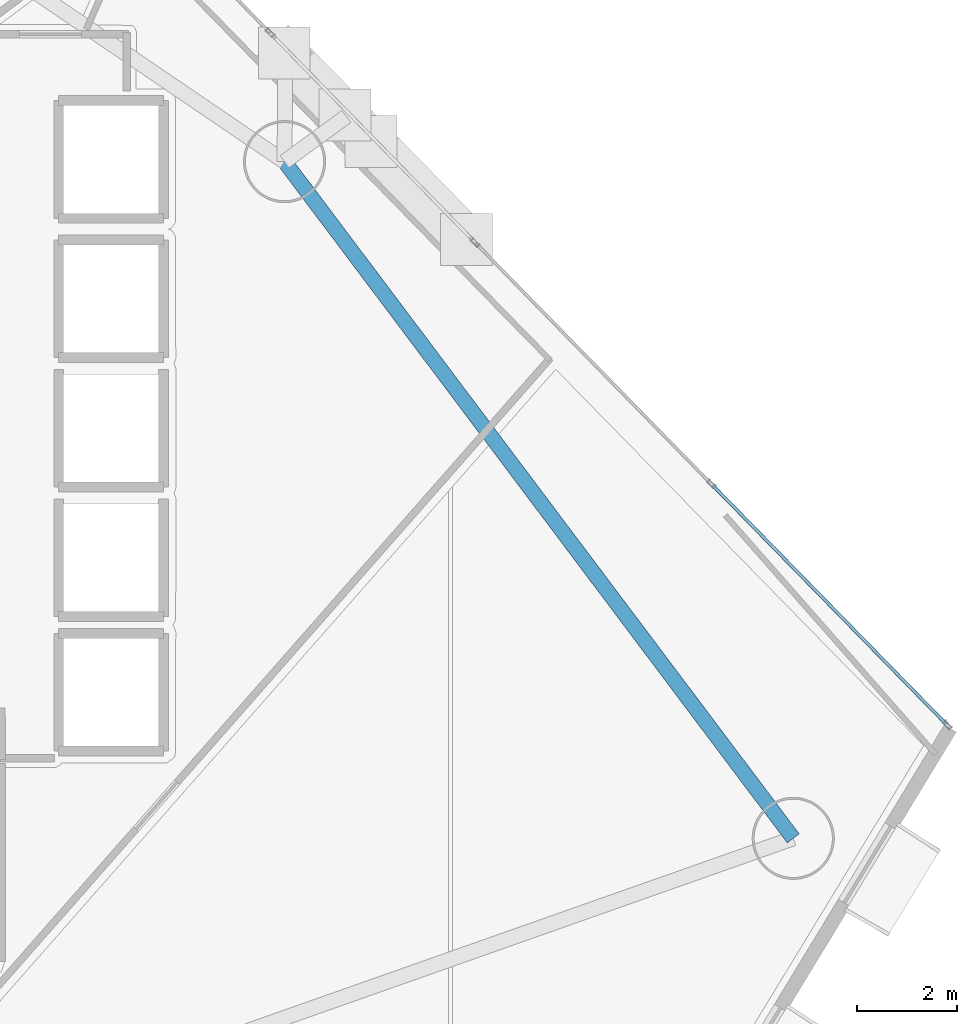
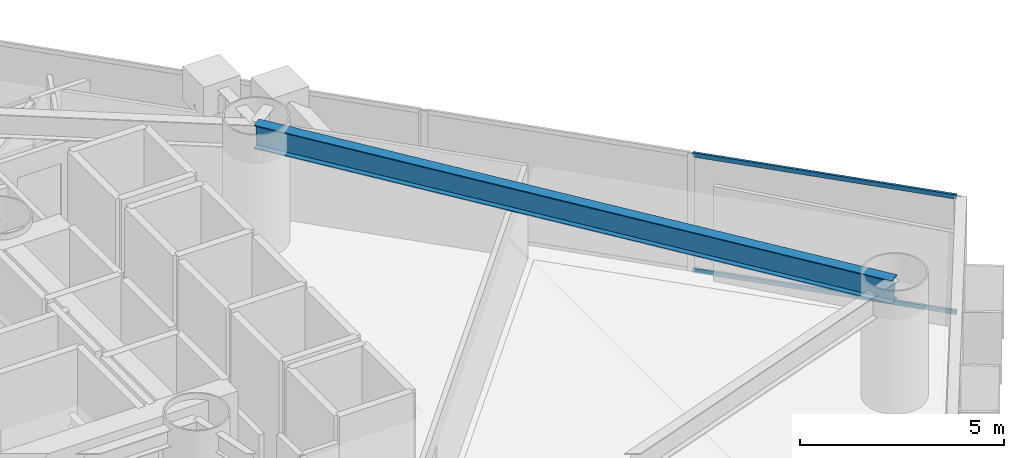
# One storey, part 12 of 23: 2 members, 1 beam, 1 element without a shape of its own.
"""IFC4 building model written with IfcOpenShell, lengths in metres."""

import ifcopenshell
import ifcopenshell.guid

model = None  # the IFC model being written
_history = None  # IfcOwnerHistory: only IFC2X3 demands one
_inside = {}  # id of a spatial element -> (the spatial element, [elements in it])
_under = {}  # id of a project, library or spatial element -> (it, [spatial elements below it])
_declared = {}  # id of a project -> (the project, [libraries it declares])
_typed = {}  # id of a type object -> (the type object, [elements of that type])
_made_of = {}  # id of a material, layer set ... -> (it, [elements and type objects made of it])


def new_model(schema):
    """Start an empty IFC model of exactly this schema.

    Asked for "IFC4X3", IfcOpenShell would pick the latest addendum, in which some entities
    have other attributes; the version numbers below select the first issue.
    IFC2X3 requires an IfcOwnerHistory on every rooted entity: one is made here for all.
    """
    global model, _history
    if schema == "IFC4X3":
        model = ifcopenshell.file(schema_version=(4, 3, 0, 0))
    else:
        model = ifcopenshell.file(schema=schema)
    _inside.clear()
    _under.clear()
    _declared.clear()
    _typed.clear()
    _made_of.clear()
    _history = None
    if model.schema == "IFC2X3":
        org = make("IfcOrganization", Name="unknown")
        user = make(
            "IfcPersonAndOrganization",
            ThePerson=make("IfcPerson", FamilyName="unknown"),
            TheOrganization=org,
        )
        app = make(
            "IfcApplication",
            ApplicationDeveloper=org,
            Version="unknown",
            ApplicationFullName="unknown",
            ApplicationIdentifier="unknown",
        )
        _history = make(
            "IfcOwnerHistory",
            OwningUser=user,
            OwningApplication=app,
            ChangeAction="ADDED",
            CreationDate=0,
        )
    return model


def make(cls, **values):
    """One entity of the class cls with the attributes given. An attribute that is None is left unset."""
    return model.create_entity(
        cls, **{name: value for name, value in values.items() if value is not None}
    )


def rooted(cls, **values):
    """An entity with a GlobalId (a new one), such as an element, a storey or a relation."""
    return make(cls, GlobalId=ifcopenshell.guid.new(), OwnerHistory=_history, **values)


def si_unit(unit_type, name, prefix=None):
    """IfcSIUnit, for example si_unit("LENGTHUNIT", "METRE", prefix="MILLI")."""
    return make("IfcSIUnit", UnitType=unit_type, Prefix=prefix, Name=name)


def assignment(units):
    """IfcUnitAssignment: the units of a project."""
    return None if units is None else make("IfcUnitAssignment", Units=units)


def point(xyz):
    """IfcCartesianPoint."""
    return None if xyz is None else make("IfcCartesianPoint", Coordinates=xyz)


def direction(xyz):
    """IfcDirection."""
    return None if xyz is None else make("IfcDirection", DirectionRatios=xyz)


def frame(location, z_axis=None, x_axis=None):
    """IfcAxis2Placement3D, a coordinate frame: its origin and axes. An axis left out is left unset."""
    return make(
        "IfcAxis2Placement3D",
        Location=point(location),
        Axis=direction(z_axis),
        RefDirection=direction(x_axis),
    )


def frame_2d(location, x_axis=None):
    """IfcAxis2Placement2D, a coordinate frame in the plane: its origin and x axis."""
    return make(
        "IfcAxis2Placement2D", Location=point(location), RefDirection=direction(x_axis)
    )


def origin():
    """The frame at (0, 0, 0) with its axes left unset."""
    return frame((0.0, 0.0, 0.0))


def origin_2d():
    """The frame at (0, 0) in the plane with its x axis left unset."""
    return frame_2d((0.0, 0.0))


def place(relative_to, where):
    """IfcLocalPlacement: puts the frame where relative to a parent placement (None: the world)."""
    return make(
        "IfcLocalPlacement", PlacementRelTo=relative_to, RelativePlacement=where
    )


def context(
    kind, dimensions, precision=None, world=None, true_north=None, identifier=None
):
    """IfcGeometricRepresentationContext, for example the 3D "Model" context."""
    return make(
        "IfcGeometricRepresentationContext",
        ContextIdentifier=identifier,
        ContextType=kind,
        CoordinateSpaceDimension=dimensions,
        Precision=precision,
        WorldCoordinateSystem=world,
        TrueNorth=true_north,
    )


def subcontext(parent, identifier, kind, view, scale=None):
    """IfcGeometricRepresentationSubContext, for example "Body" below "Model"."""
    return make(
        "IfcGeometricRepresentationSubContext",
        ContextIdentifier=identifier,
        ContextType=kind,
        ParentContext=parent,
        TargetScale=scale,
        TargetView=view,
    )


def project(units=None, contexts=None):
    """IfcProject with its units and contexts."""
    return rooted(
        "IfcProject",
        Name="project",
        RepresentationContexts=contexts,
        UnitsInContext=assignment(units),
    )


def spatial(cls, under=None, at=None, **own):
    """A site, building, storey or space (cls), placed at a placement, below another one or the project."""
    s = rooted(cls, ObjectPlacement=at, **own)
    if under is not None:
        _under.setdefault(under.id(), (under, []))[1].append(s)
    return s


def profile(cls, at=None, kind="AREA", **sizes):
    """A parametric profile (cls). Its sizes go by their IFC names, for example OverallWidth=200.0."""
    return make(cls, ProfileType=kind, Position=at, **sizes)


def hollow_rectangle(**sizes):
    """IfcRectangleHollowProfileDef."""
    return profile("IfcRectangleHollowProfileDef", **sizes)


def i_section(**sizes):
    """IfcIShapeProfileDef."""
    return profile("IfcIShapeProfileDef", **sizes)


def extrude(swept, where, along, depth):
    """IfcExtrudedAreaSolid: the profile swept, set in the frame where, extruded along a direction by depth."""
    return make(
        "IfcExtrudedAreaSolid",
        SweptArea=swept,
        Position=where,
        ExtrudedDirection=direction(along),
        Depth=depth,
    )


def shape(context_of_items, identifier, shape_type, items):
    """IfcShapeRepresentation: the items that make up one representation, for example the "Body"."""
    return make(
        "IfcShapeRepresentation",
        ContextOfItems=context_of_items,
        RepresentationIdentifier=identifier,
        RepresentationType=shape_type,
        Items=items,
    )


def material(Name=None, Category=None):
    """IfcMaterial."""
    return make("IfcMaterial", Name=Name, Category=Category)


def layer(
    of_material, thickness, ventilated=None, Name=None, Category=None, Priority=None
):
    """IfcMaterialLayer: one layer of a wall or slab, of a material (None: an air gap)."""
    return make(
        "IfcMaterialLayer",
        Material=of_material,
        LayerThickness=thickness,
        IsVentilated=ventilated,
        Name=Name,
        Category=Category,
        Priority=Priority,
    )


def layer_set(layers, Name=None):
    """IfcMaterialLayerSet."""
    return make("IfcMaterialLayerSet", MaterialLayers=layers, LayerSetName=Name)


def material_profile(
    of_material, cross_section, Name=None, Category=None, Priority=None
):
    """IfcMaterialProfile: a cross section and its material."""
    return make(
        "IfcMaterialProfile",
        Name=Name,
        Material=of_material,
        Profile=cross_section,
        Priority=Priority,
        Category=Category,
    )


def profile_set(profiles, Name=None, composite=None):
    """IfcMaterialProfileSet."""
    return make(
        "IfcMaterialProfileSet",
        Name=Name,
        MaterialProfiles=profiles,
        CompositeProfile=composite,
    )


def made_of(thing, what):
    """Note that an element or type object is made of a material, layer set ...; save() writes the relation."""
    if what is not None:
        _made_of.setdefault(what.id(), (what, []))[1].append(thing)
    return thing


def type_object(cls, material=None, **own):
    """A type object (cls), such as IfcWallType, which elements share."""
    return made_of(rooted(cls, **own), material)


def element(
    cls,
    number,
    at=None,
    inside=None,
    cuts=None,
    type_object=None,
    material=None,
    context=None,
    identifier="Body",
    shape_type=None,
    held_by="IfcProductDefinitionShape",
    body=None,
    shapes=None,
    **own,
):
    """One element of the class cls, such as IfcWall. Its Tag is "e" and its number.

    at: its placement. inside: the storey or other place that contains it. cuts: it is an
    opening in that element (IfcRelVoidsElement). A single representation is given by context,
    identifier, shape_type and body (its items); several are given by shapes. held_by: the class
    of the entity that holds the representations. save() writes the other relations.
    """
    e = rooted(cls, Tag="e%d" % number, ObjectPlacement=at, **own)
    if body is not None:
        shapes = [shape(context, identifier, shape_type, body)]
    if shapes is not None:
        e.Representation = make(held_by, Representations=shapes)
    if inside is not None:
        _inside.setdefault(inside.id(), (inside, []))[1].append(e)
    if cuts is not None:
        rooted(
            "IfcRelVoidsElement", RelatingBuildingElement=cuts, RelatedOpeningElement=e
        )
    if type_object is not None:
        _typed.setdefault(type_object.id(), (type_object, []))[1].append(e)
    return made_of(e, material)


def aggregate(whole, parts):
    """IfcRelAggregates: a whole, such as a stair, and the parts it consists of."""
    return rooted("IfcRelAggregates", RelatingObject=whole, RelatedObjects=parts)


def save(model, path):
    """Write the relations noted so far, then the file.

    IfcRelAggregates (storeys below a building ...), IfcRelContainedInSpatialStructure (elements
    in a storey), IfcRelDefinesByType, IfcRelAssociatesMaterial and IfcRelDeclares: one each for
    every whole, place, type object, material and project.
    """
    for whole, parts in _under.values():
        aggregate(whole, parts)
    for where, things in _inside.values():
        rooted(
            "IfcRelContainedInSpatialStructure",
            RelatedElements=things,
            RelatingStructure=where,
        )
    for kind, things in _typed.values():
        rooted("IfcRelDefinesByType", RelatedObjects=things, RelatingType=kind)
    for what, things in _made_of.values():
        rooted("IfcRelAssociatesMaterial", RelatedObjects=things, RelatingMaterial=what)
    for by, libraries in _declared.values():
        rooted("IfcRelDeclares", RelatingContext=by, RelatedDefinitions=libraries)
    model.write(path)


model = new_model("IFC4")

# Units and contexts
model_context = context("Model", 3, precision=1e-05, world=origin(), true_north=direction((0.0, 1.0)))
body_context = subcontext(model_context, "Body", "Model", "MODEL_VIEW")
ifc_project = project(units=[si_unit("LENGTHUNIT", "METRE"), si_unit("AREAUNIT", "SQUARE_METRE"), si_unit("VOLUMEUNIT", "CUBIC_METRE"), si_unit("PLANEANGLEUNIT", "RADIAN"), si_unit("MASSUNIT", "GRAM", prefix="KILO")], contexts=[model_context])

# Site, building, storey
site_placement = place(None, origin())
site = spatial("IfcSite", under=ifc_project, at=site_placement, CompositionType="ELEMENT")
building_placement = place(site_placement, origin())
building = spatial("IfcBuilding", under=site, at=building_placement, Name="Qianvela Tower", CompositionType="ELEMENT")
storey_placement = place(building_placement, frame((0.0, 0.0, 56.199951171875)))
storey = spatial("IfcBuildingStorey", under=building, at=storey_placement, Name="L13", CompositionType="ELEMENT", Elevation=56.199951171875)

# Beam
ifc_material_1 = material(Name="Steel Q355B", Category="steel")
ifc_material_profile_1 = material_profile(ifc_material_1, i_section(OverallWidth=0.300048828125, OverallDepth=0.699951171875, WebThickness=0.012939453125, FlangeThickness=0.02392578125, at=origin_2d()), Name="HN700x300x13x24")
ifc_profile_set_1 = profile_set([ifc_material_profile_1], Name="Steel Q355B")
beam_type = type_object("IfcBeamType", Name="BM-HN700-SPAND", PredefinedType="SPANDREL", material=ifc_profile_set_1)
beam_placement = place(storey_placement, frame((56.198974609375, 20.468017578125, 3.16796875), z_axis=(-0.600881979864, 0.799337754816, 0.0), x_axis=(-0.799337754816, -0.600881979864, 0.0)))
element("IfcBeam", 1, at=beam_placement, inside=storey, type_object=beam_type, Name="L13 Perimeter Ring Spandrel Girder 1", PredefinedType="SPANDREL", context=body_context, shape_type="SweptSolid", body=[
    extrude(i_section(OverallWidth=0.300048828125, OverallDepth=0.699951171875, WebThickness=0.012939453125, FlangeThickness=0.02392578125, at=origin_2d()), origin(), (0.0, 0.0, 1.0), 17.000244140625),
])

# Curtain wall, members
ifc_material_2 = material(Name="Anodised Architectural Aluminium and Low-E Glass", Category="aluminium")
ifc_layer = layer(ifc_material_2, 0.179931640625)
ifc_layer_set = layer_set([ifc_layer], Name="Anodised Architectural Aluminium and Low-E Glass")
curtain_wall_type = type_object("IfcCurtainWallType", Name="CW-COLIV-Z12", PredefinedType="USERDEFINED", material=ifc_layer_set)
curtain_wall_placement = place(storey_placement, origin())
curtain_wall = element("IfcCurtainWall", 2, at=curtain_wall_placement, inside=storey, type_object=curtain_wall_type, Name="L13 CW-COLIV-Z12 Curtain Wall 02A", ObjectType="CURTAIN_WALL_SYSTEM", PredefinedType="USERDEFINED")
ifc_material_3 = material(Name="Anodised Architectural Aluminium 6063-T6", Category="aluminium")
ifc_material_profile_2 = material_profile(ifc_material_3, hollow_rectangle(XDim=0.06494140625, YDim=0.1298828125, WallThickness=0.00439453125, at=origin_2d()), Name="ALU-TRAN-65x130")
ifc_profile_set_2 = profile_set([ifc_material_profile_2], Name="Anodised Architectural Aluminium 6063-T6")
member_type = type_object("IfcMemberType", Name="CW-COLIV-Z12-TRAN", PredefinedType="USERDEFINED", material=ifc_profile_set_2)
member_1_placement = place(storey_placement, frame((59.271484375, 22.76220703125, 0.032470703125), z_axis=(-0.699240802204, 0.714886215095, 0.0), x_axis=(-0.714886215095, -0.699240802204, 0.0)))
member_1 = element("IfcMember", 3, at=member_1_placement, type_object=member_type, Name="CW-3 transom 1.1", ObjectType="TRANSOM", PredefinedType="USERDEFINED", context=body_context, shape_type="SweptSolid", body=[
    extrude(hollow_rectangle(XDim=0.06494140625, YDim=0.1298828125, WallThickness=0.00439453125, at=origin_2d()), origin(), (0.0, 0.0, 1.0), 6.7099609375),
])
member_2_placement = place(storey_placement, frame((59.271484375, 22.76220703125, 3.487548828125), z_axis=(-0.699240802204, 0.714886215095, 0.0), x_axis=(-0.714886215095, -0.699240802204, 0.0)))
member_2 = element("IfcMember", 4, at=member_2_placement, type_object=member_type, Name="CW-3 transom 1.2", ObjectType="TRANSOM", PredefinedType="USERDEFINED", context=body_context, shape_type="SweptSolid", body=[
    extrude(hollow_rectangle(XDim=0.06494140625, YDim=0.1298828125, WallThickness=0.00439453125, at=origin_2d()), origin(), (0.0, 0.0, 1.0), 6.7099609375),
])
aggregate(curtain_wall, [member_1, member_2])

save(model, "model.ifc")
